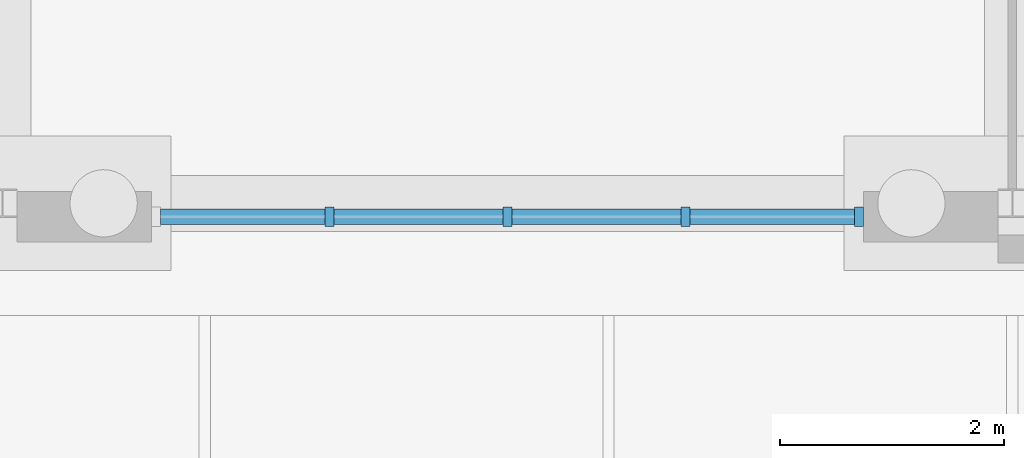
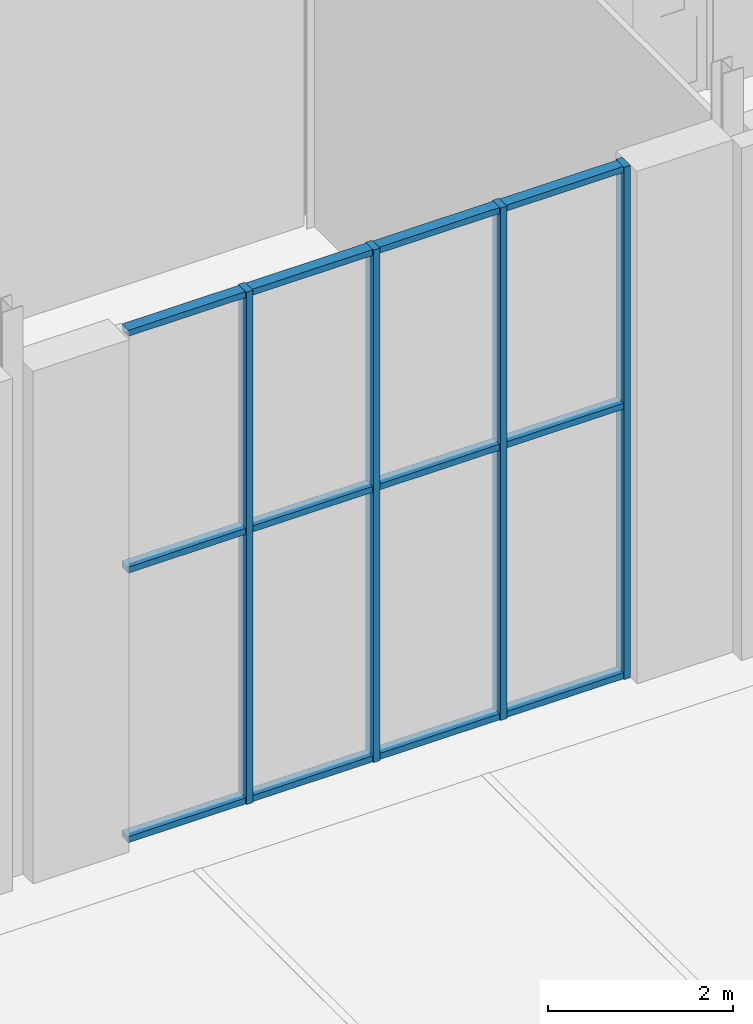
# One storey, part 51 of 250: 16 members, 1 element without a shape of its own.
"""IFC4 building model written with IfcOpenShell, lengths in metres."""

from ifc_helpers import new_model, si_unit, direction, frame, origin, origin_2d, place, context, subcontext, project, spatial, rectangle, extrude, material, material_profile, profile_set, type_object, element, aggregate, save


model = new_model("IFC4")

# Units and contexts
model_context = context("Model", 3, precision=1e-05, world=origin(), true_north=direction((0.0, 1.0)))
body_context = subcontext(model_context, "Body", "Model", "MODEL_VIEW")
ifc_project = project(units=[si_unit("LENGTHUNIT", "METRE"), si_unit("AREAUNIT", "SQUARE_METRE"), si_unit("VOLUMEUNIT", "CUBIC_METRE"), si_unit("PLANEANGLEUNIT", "RADIAN"), si_unit("MASSUNIT", "GRAM", prefix="KILO")], contexts=[model_context])

# Site, building, storey
site_placement = place(None, origin())
site = spatial("IfcSite", under=ifc_project, at=site_placement, CompositionType="ELEMENT")
building_placement = place(site_placement, origin())
building = spatial("IfcBuilding", under=site, at=building_placement, Name="Baradari Gate Terminus", CompositionType="ELEMENT")
storey_placement = place(building_placement, origin())
storey = spatial("IfcBuildingStorey", under=building, at=storey_placement, Name="L00", CompositionType="ELEMENT", Elevation=0.0)

# Curtain wall, members
ifc_material_1 = material(Name="Aluminium 6063-T6", Category="aluminium")
curtain_wall_type = type_object("IfcCurtainWallType", Name="Curtain wall CW-24 lobby and lounge glazing, other height", PredefinedType="NOTDEFINED", material=ifc_material_1)
curtain_wall_placement = place(storey_placement, origin())
curtain_wall = element("IfcCurtainWall", 1, at=curtain_wall_placement, inside=storey, type_object=curtain_wall_type, Name="Glazed curtain wall CW-24 SS bay 15 L00", PredefinedType="NOTDEFINED")
ifc_material_2 = material(Name="Aluminium 6063-T6", Category="aluminium")
ifc_material_profile_1 = material_profile(ifc_material_2, rectangle(XDim=0.175048828125, YDim=0.080078125, at=origin_2d()), Name="CM-24 80X175")
ifc_profile_set_1 = profile_set([ifc_material_profile_1], Name="Aluminium 6063-T6")
member_type_1 = type_object("IfcMemberType", Name="Curtain wall mullion CM-24 80x175", PredefinedType="MULLION", material=ifc_profile_set_1)
member_1_placement = place(storey_placement, frame((128.91357421875, 8.880126953125, 0.0), z_axis=(0.0, 0.0, 1.0), x_axis=(0.0, 1.0, 0.0)))
member_1 = element("IfcMember", 2, at=member_1_placement, type_object=member_type_1, Name="CW-24 mullion 2", PredefinedType="MULLION", context=body_context, shape_type="SweptSolid", body=[
    extrude(rectangle(XDim=0.175048828125, YDim=0.080078125, at=origin_2d()), origin(), (0.0, 0.0, 1.0), 6.767333984375),
])
member_2_placement = place(storey_placement, frame((130.5, 8.880126953125, 0.0), z_axis=(0.0, 0.0, 1.0), x_axis=(0.0, 1.0, 0.0)))
member_2 = element("IfcMember", 3, at=member_2_placement, type_object=member_type_1, Name="CW-24 mullion 3", PredefinedType="MULLION", context=body_context, shape_type="SweptSolid", body=[
    extrude(rectangle(XDim=0.175048828125, YDim=0.080078125, at=origin_2d()), origin(), (0.0, 0.0, 1.0), 6.767333984375),
])
member_3_placement = place(storey_placement, frame((132.08642578125, 8.880126953125, 0.0), z_axis=(0.0, 0.0, 1.0), x_axis=(0.0, 1.0, 0.0)))
member_3 = element("IfcMember", 4, at=member_3_placement, type_object=member_type_1, Name="CW-24 mullion 4", PredefinedType="MULLION", context=body_context, shape_type="SweptSolid", body=[
    extrude(rectangle(XDim=0.175048828125, YDim=0.080078125, at=origin_2d()), origin(), (0.0, 0.0, 1.0), 6.767333984375),
])
member_4_placement = place(storey_placement, frame((133.6328125, 8.880126953125, 0.0), z_axis=(0.0, 0.0, 1.0), x_axis=(0.0, 1.0, 0.0)))
member_4 = element("IfcMember", 5, at=member_4_placement, type_object=member_type_1, Name="CW-24 mullion 5", PredefinedType="MULLION", context=body_context, shape_type="SweptSolid", body=[
    extrude(rectangle(XDim=0.175048828125, YDim=0.080078125, at=origin_2d()), origin(), (0.0, 0.0, 1.0), 6.767333984375),
])
ifc_material_3 = material(Name="Aluminium 6063-T6", Category="aluminium")
ifc_material_profile_2 = material_profile(ifc_material_3, rectangle(XDim=0.139892578125, YDim=0.080078125, at=origin_2d()), Name="CT-24 80X140")
ifc_profile_set_2 = profile_set([ifc_material_profile_2], Name="Aluminium 6063-T6")
member_type_2 = type_object("IfcMemberType", Name="Curtain wall transom CT-24 80x140", PredefinedType="USERDEFINED", material=ifc_profile_set_2)
member_5_placement = place(storey_placement, frame((127.4072265625, 8.880126953125, 0.0400390625), z_axis=(1.0, 0.0, 0.0), x_axis=(0.0, 1.0, 0.0)))
member_5 = element("IfcMember", 6, at=member_5_placement, type_object=member_type_2, Name="CW-24 transom 1.1", ObjectType="TRANSOM", PredefinedType="USERDEFINED", context=body_context, shape_type="SweptSolid", body=[
    extrude(rectangle(XDim=0.139892578125, YDim=0.080078125, at=origin_2d()), origin(), (0.0, 0.0, 1.0), 1.46630859375),
])
member_6_placement = place(storey_placement, frame((127.4072265625, 8.880126953125, 3.60009765625), z_axis=(1.0, 0.0, 0.0), x_axis=(0.0, 1.0, 0.0)))
member_6 = element("IfcMember", 7, at=member_6_placement, type_object=member_type_2, Name="CW-24 transom 1.2", ObjectType="TRANSOM", PredefinedType="USERDEFINED", context=body_context, shape_type="SweptSolid", body=[
    extrude(rectangle(XDim=0.139892578125, YDim=0.080078125, at=origin_2d()), origin(), (0.0, 0.0, 1.0), 1.46630859375),
])
member_7_placement = place(storey_placement, frame((127.4072265625, 8.880126953125, 6.727294921875), z_axis=(1.0, 0.0, 0.0), x_axis=(0.0, 1.0, 0.0)))
member_7 = element("IfcMember", 8, at=member_7_placement, type_object=member_type_2, Name="CW-24 transom 1.3", ObjectType="TRANSOM", PredefinedType="USERDEFINED", context=body_context, shape_type="SweptSolid", body=[
    extrude(rectangle(XDim=0.139892578125, YDim=0.080078125, at=origin_2d()), origin(), (0.0, 0.0, 1.0), 1.46630859375),
])
member_8_placement = place(storey_placement, frame((128.95361328125, 8.880126953125, 0.0400390625), z_axis=(1.0, 0.0, 0.0), x_axis=(0.0, 1.0, 0.0)))
member_8 = element("IfcMember", 9, at=member_8_placement, type_object=member_type_2, Name="CW-24 transom 2.1", ObjectType="TRANSOM", PredefinedType="USERDEFINED", context=body_context, shape_type="SweptSolid", body=[
    extrude(rectangle(XDim=0.139892578125, YDim=0.080078125, at=origin_2d()), origin(), (0.0, 0.0, 1.0), 1.50634765625),
])
member_9_placement = place(storey_placement, frame((128.95361328125, 8.880126953125, 3.60009765625), z_axis=(1.0, 0.0, 0.0), x_axis=(0.0, 1.0, 0.0)))
member_9 = element("IfcMember", 10, at=member_9_placement, type_object=member_type_2, Name="CW-24 transom 2.2", ObjectType="TRANSOM", PredefinedType="USERDEFINED", context=body_context, shape_type="SweptSolid", body=[
    extrude(rectangle(XDim=0.139892578125, YDim=0.080078125, at=origin_2d()), origin(), (0.0, 0.0, 1.0), 1.50634765625),
])
member_10_placement = place(storey_placement, frame((128.95361328125, 8.880126953125, 6.727294921875), z_axis=(1.0, 0.0, 0.0), x_axis=(0.0, 1.0, 0.0)))
member_10 = element("IfcMember", 11, at=member_10_placement, type_object=member_type_2, Name="CW-24 transom 2.3", ObjectType="TRANSOM", PredefinedType="USERDEFINED", context=body_context, shape_type="SweptSolid", body=[
    extrude(rectangle(XDim=0.139892578125, YDim=0.080078125, at=origin_2d()), origin(), (0.0, 0.0, 1.0), 1.50634765625),
])
member_11_placement = place(storey_placement, frame((130.5400390625, 8.880126953125, 0.0400390625), z_axis=(1.0, 0.0, 0.0), x_axis=(0.0, 1.0, 0.0)))
member_11 = element("IfcMember", 12, at=member_11_placement, type_object=member_type_2, Name="CW-24 transom 3.1", ObjectType="TRANSOM", PredefinedType="USERDEFINED", context=body_context, shape_type="SweptSolid", body=[
    extrude(rectangle(XDim=0.139892578125, YDim=0.080078125, at=origin_2d()), origin(), (0.0, 0.0, 1.0), 1.50634765625),
])
member_12_placement = place(storey_placement, frame((130.5400390625, 8.880126953125, 3.60009765625), z_axis=(1.0, 0.0, 0.0), x_axis=(0.0, 1.0, 0.0)))
member_12 = element("IfcMember", 13, at=member_12_placement, type_object=member_type_2, Name="CW-24 transom 3.2", ObjectType="TRANSOM", PredefinedType="USERDEFINED", context=body_context, shape_type="SweptSolid", body=[
    extrude(rectangle(XDim=0.139892578125, YDim=0.080078125, at=origin_2d()), origin(), (0.0, 0.0, 1.0), 1.50634765625),
])
member_13_placement = place(storey_placement, frame((130.5400390625, 8.880126953125, 6.727294921875), z_axis=(1.0, 0.0, 0.0), x_axis=(0.0, 1.0, 0.0)))
member_13 = element("IfcMember", 14, at=member_13_placement, type_object=member_type_2, Name="CW-24 transom 3.3", ObjectType="TRANSOM", PredefinedType="USERDEFINED", context=body_context, shape_type="SweptSolid", body=[
    extrude(rectangle(XDim=0.139892578125, YDim=0.080078125, at=origin_2d()), origin(), (0.0, 0.0, 1.0), 1.50634765625),
])
member_14_placement = place(storey_placement, frame((132.12646484375, 8.880126953125, 0.0400390625), z_axis=(1.0, 0.0, 0.0), x_axis=(0.0, 1.0, 0.0)))
member_14 = element("IfcMember", 15, at=member_14_placement, type_object=member_type_2, Name="CW-24 transom 4.1", ObjectType="TRANSOM", PredefinedType="USERDEFINED", context=body_context, shape_type="SweptSolid", body=[
    extrude(rectangle(XDim=0.139892578125, YDim=0.080078125, at=origin_2d()), origin(), (0.0, 0.0, 1.0), 1.46630859375),
])
member_15_placement = place(storey_placement, frame((132.12646484375, 8.880126953125, 3.60009765625), z_axis=(1.0, 0.0, 0.0), x_axis=(0.0, 1.0, 0.0)))
member_15 = element("IfcMember", 16, at=member_15_placement, type_object=member_type_2, Name="CW-24 transom 4.2", ObjectType="TRANSOM", PredefinedType="USERDEFINED", context=body_context, shape_type="SweptSolid", body=[
    extrude(rectangle(XDim=0.139892578125, YDim=0.080078125, at=origin_2d()), origin(), (0.0, 0.0, 1.0), 1.46630859375),
])
member_16_placement = place(storey_placement, frame((132.12646484375, 8.880126953125, 6.727294921875), z_axis=(1.0, 0.0, 0.0), x_axis=(0.0, 1.0, 0.0)))
member_16 = element("IfcMember", 17, at=member_16_placement, type_object=member_type_2, Name="CW-24 transom 4.3", ObjectType="TRANSOM", PredefinedType="USERDEFINED", context=body_context, shape_type="SweptSolid", body=[
    extrude(rectangle(XDim=0.139892578125, YDim=0.080078125, at=origin_2d()), origin(), (0.0, 0.0, 1.0), 1.46630859375),
])
aggregate(curtain_wall, [member_1, member_2, member_3, member_4, member_5, member_6, member_7, member_8, member_9, member_10, member_11, member_12, member_13, member_14, member_15, member_16])

save(model, "model.ifc")
